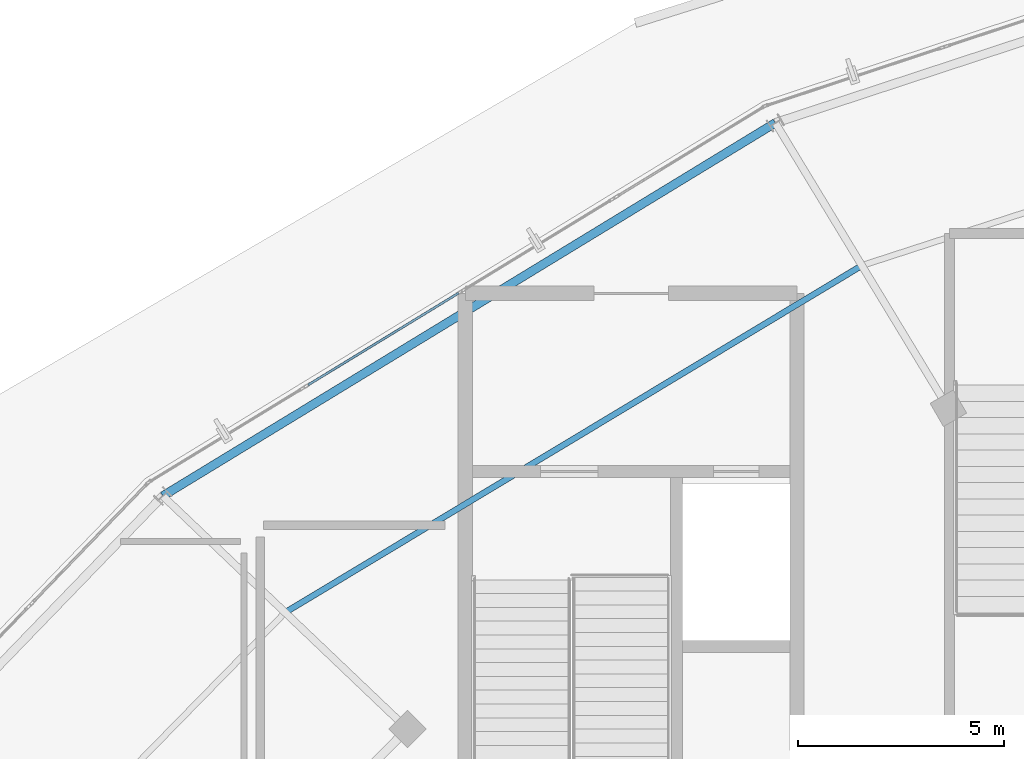
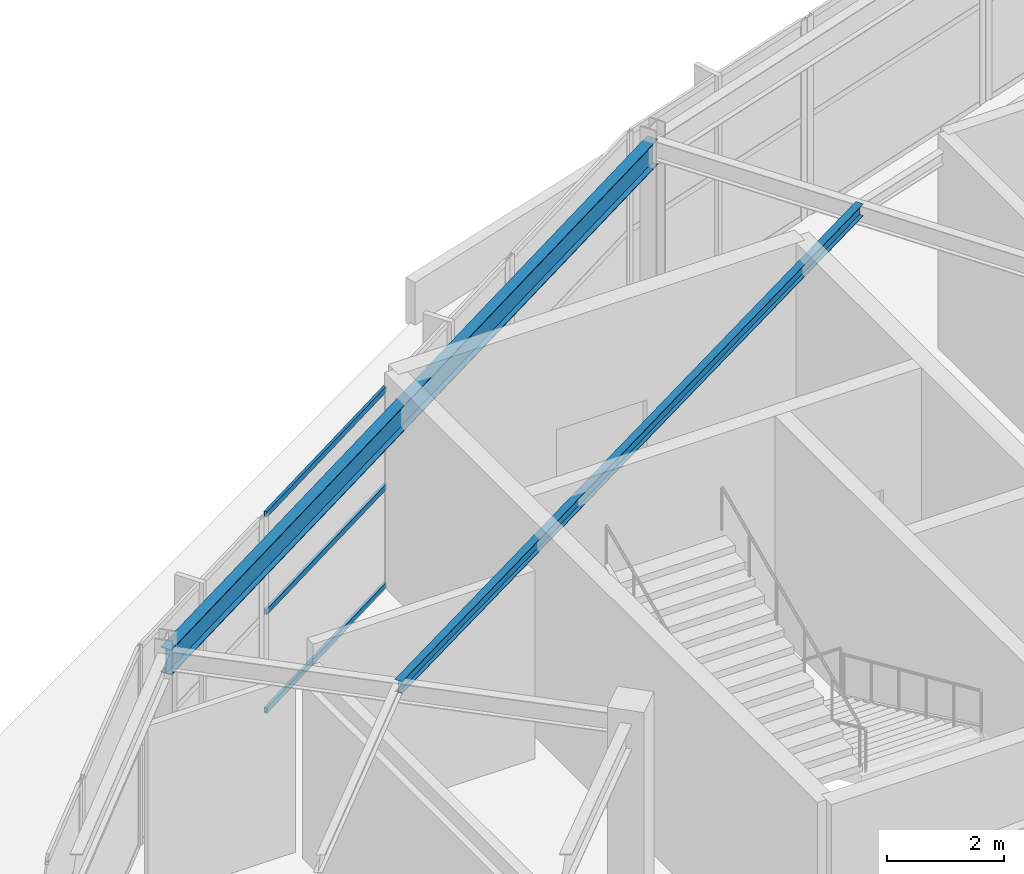
# One storey, part 62 of 126: 3 members, 2 beams, 1 element without a shape of its own.
"""IFC4 building model written with IfcOpenShell, lengths in metres."""

from ifc_helpers import new_model, si_unit, direction, frame, origin, origin_2d, place, context, subcontext, project, spatial, hollow_rectangle, i_section, extrude, material, layer, layer_set, material_profile, profile_set, type_object, element, aggregate, save


model = new_model("IFC4")

# Units and contexts
model_context = context("Model", 3, precision=1e-05, world=origin(), true_north=direction((0.0, 1.0)))
body_context = subcontext(model_context, "Body", "Model", "MODEL_VIEW")
ifc_project = project(units=[si_unit("LENGTHUNIT", "METRE"), si_unit("AREAUNIT", "SQUARE_METRE"), si_unit("VOLUMEUNIT", "CUBIC_METRE"), si_unit("PLANEANGLEUNIT", "RADIAN"), si_unit("MASSUNIT", "GRAM", prefix="KILO")], contexts=[model_context])

# Site, building, storey
site_placement = place(None, origin())
site = spatial("IfcSite", under=ifc_project, at=site_placement, CompositionType="ELEMENT")
building_placement = place(site_placement, origin())
building = spatial("IfcBuilding", under=site, at=building_placement, Name="Kalgoora Escarpment Arena", CompositionType="ELEMENT")
storey_placement = place(building_placement, frame((0.0, 0.0, 18.89990234375)))
storey = spatial("IfcBuildingStorey", under=building, at=storey_placement, Name="L04", CompositionType="ELEMENT", Elevation=18.89990234375)

# Beams
ifc_material_1 = material(Name="Structural steel AS/NZS 3679 (300 MPa)", Category="steel")
ifc_material_profile_1 = material_profile(ifc_material_1, i_section(OverallWidth=0.14599609375, OverallDepth=0.256103515625, WebThickness=0.00634765625, FlangeThickness=0.010986328125, at=origin_2d()))
ifc_profile_set_1 = profile_set([ifc_material_profile_1], Name="Structural steel AS/NZS 3679 (300 MPa)")
beam_type_1 = type_object("IfcBeamType", Name="BM-BEAM-250UB37.3", PredefinedType="BEAM", material=ifc_profile_set_1)
beam_1_placement = place(storey_placement, frame((58.60009765625, 109.8994140625, 4.092041015625), z_axis=(-0.856889805315, -0.515499623227, 0.0), x_axis=(0.515499623227, -0.856889805315, 0.0)))
element("IfcBeam", 1, at=beam_1_placement, inside=storey, type_object=beam_type_1, Name="L04 Concourse secondary ring beam 250UB37.3", PredefinedType="BEAM", context=body_context, shape_type="SweptSolid", body=[
    extrude(i_section(OverallWidth=0.14599609375, OverallDepth=0.256103515625, WebThickness=0.00634765625, FlangeThickness=0.010986328125, at=origin_2d()), origin(), (0.0, 0.0, 1.0), 16.338623046875),
])
ifc_material_2 = material(Name="Structural steel AS/NZS 3679 (300 MPa)", Category="steel")
ifc_material_profile_2 = material_profile(ifc_material_2, i_section(OverallWidth=0.208984375, OverallDepth=0.532958984375, WebThickness=0.01025390625, FlangeThickness=0.015625, at=origin_2d()))
ifc_profile_set_2 = profile_set([ifc_material_profile_2], Name="Structural steel AS/NZS 3679 (300 MPa)")
beam_type_2 = type_object("IfcBeamType", Name="BM-SPANDREL-530UB92.4", PredefinedType="SPANDREL", material=ifc_profile_set_2)
beam_2_placement = place(storey_placement, frame((56.5, 113.36328125, 3.95361328125), z_axis=(-0.854030640858, -0.520222706613, 0.0), x_axis=(0.520222706613, -0.854030640858, 0.0)))
element("IfcBeam", 2, at=beam_2_placement, inside=storey, type_object=beam_type_2, Name="L04 Circumferential concourse girder RCONC2 530UB92.4", PredefinedType="SPANDREL", context=body_context, shape_type="SweptSolid", body=[
    extrude(i_section(OverallWidth=0.208984375, OverallDepth=0.532958984375, WebThickness=0.01025390625, FlangeThickness=0.015625, at=origin_2d()), origin(), (0.0, 0.0, 1.0), 17.411865234375),
])

# Curtain wall, members
ifc_material_3 = material(Name=" Champagne anodised aluminium & double-glazed low-E", Category="aluminium")
ifc_layer = layer(ifc_material_3, 0.157958984375)
ifc_layer_set = layer_set([ifc_layer], Name="CW-UNIT-12")
curtain_wall_type = type_object("IfcCurtainWallType", Name="CW-UNIT-12", PredefinedType="NOTDEFINED", material=ifc_layer_set)
curtain_wall_placement = place(storey_placement, origin())
curtain_wall = element("IfcCurtainWall", 3, at=curtain_wall_placement, inside=storey, type_object=curtain_wall_type, Name="L04 unitised facade curtain wall 151", PredefinedType="NOTDEFINED")
ifc_material_4 = material(Name="Anodised aluminium 6063-T6", Category="aluminium")
ifc_material_profile_3 = material_profile(ifc_material_4, hollow_rectangle(XDim=0.054931640625, YDim=0.1201171875, WallThickness=0.003173828125, at=origin_2d()))
ifc_profile_set_3 = profile_set([ifc_material_profile_3], Name="Anodised aluminium 6063-T6")
member_type = type_object("IfcMemberType", Name="MEM-CW-TRAN-120", PredefinedType="USERDEFINED", material=ifc_profile_set_3)
member_1_placement = place(storey_placement, frame((45.1591796875, 107.00244140625, 0.047607421875), z_axis=(0.853525741928, 0.521050676869, 0.0), x_axis=(-0.521050676869, 0.853525741928, 0.0)))
member_1 = element("IfcMember", 4, at=member_1_placement, type_object=member_type, Name="CW-12 transom 1.1", ObjectType="TRANSOM", PredefinedType="USERDEFINED", context=body_context, shape_type="SweptSolid", body=[
    extrude(hollow_rectangle(XDim=0.054931640625, YDim=0.1201171875, WallThickness=0.003173828125, at=origin_2d()), origin(), (0.0, 0.0, 1.0), 4.27880859375),
])
member_2_placement = place(storey_placement, frame((45.1591796875, 107.00244140625, 2.110107421875), z_axis=(0.853525741928, 0.521050676869, 0.0), x_axis=(-0.521050676869, 0.853525741928, 0.0)))
member_2 = element("IfcMember", 5, at=member_2_placement, type_object=member_type, Name="CW-12 transom 1.2", ObjectType="TRANSOM", PredefinedType="USERDEFINED", context=body_context, shape_type="SweptSolid", body=[
    extrude(hollow_rectangle(XDim=0.054931640625, YDim=0.1201171875, WallThickness=0.003173828125, at=origin_2d()), origin(), (0.0, 0.0, 1.0), 4.27880859375),
])
member_3_placement = place(storey_placement, frame((45.1591796875, 107.00244140625, 4.152587890625), z_axis=(0.853525741928, 0.521050676869, 0.0), x_axis=(-0.521050676869, 0.853525741928, 0.0)))
member_3 = element("IfcMember", 6, at=member_3_placement, type_object=member_type, Name="CW-12 transom 1.3", ObjectType="TRANSOM", PredefinedType="USERDEFINED", context=body_context, shape_type="SweptSolid", body=[
    extrude(hollow_rectangle(XDim=0.054931640625, YDim=0.1201171875, WallThickness=0.003173828125, at=origin_2d()), origin(), (0.0, 0.0, 1.0), 4.27880859375),
])
aggregate(curtain_wall, [member_1, member_2, member_3])

save(model, "model.ifc")
